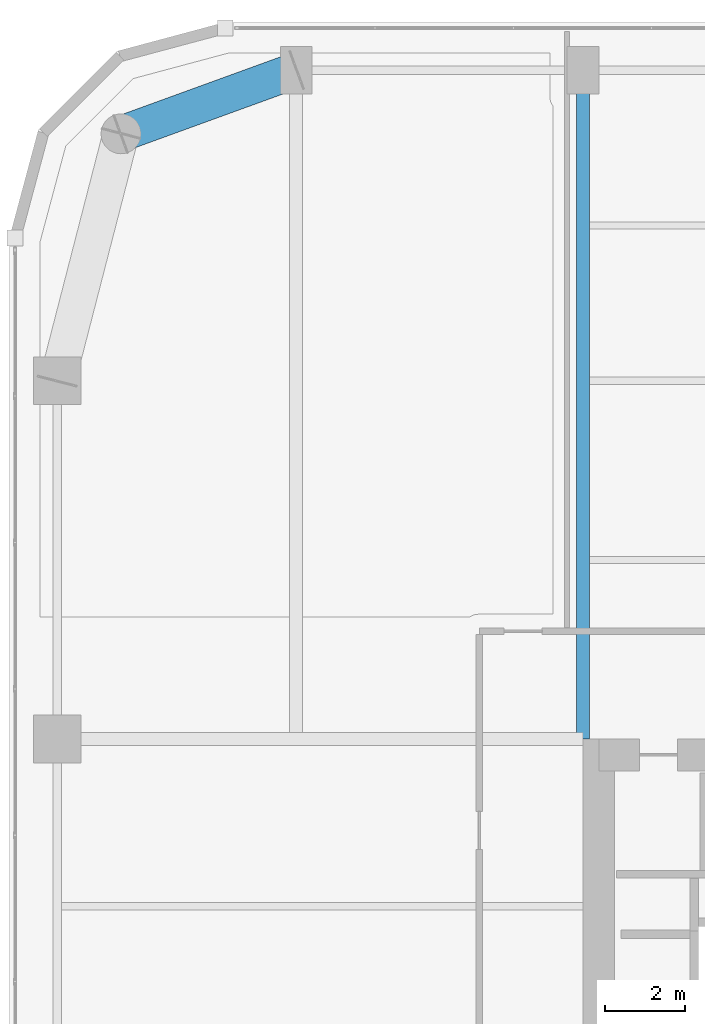
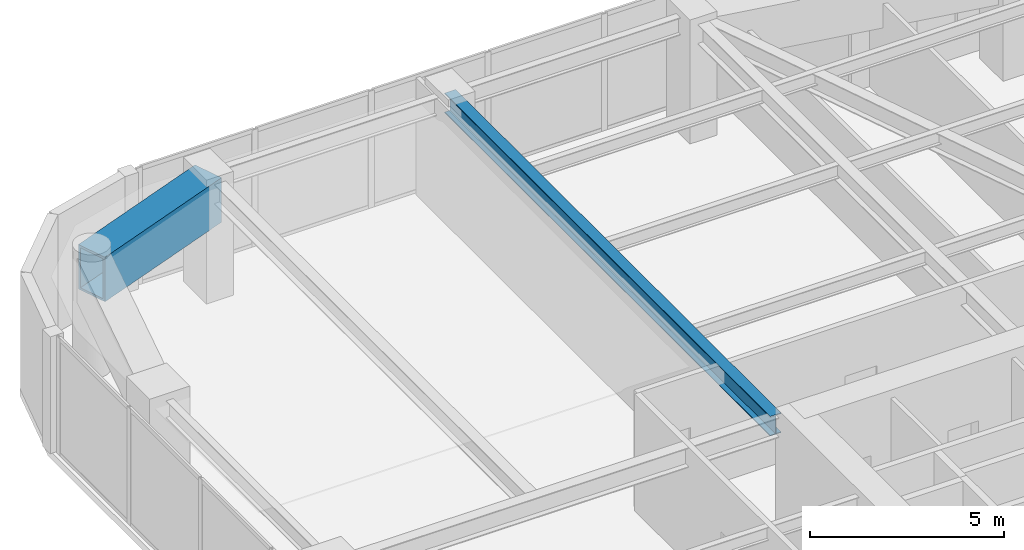
# One storey, part 16 of 30: 2 beams.
"""IFC4 building model written with IfcOpenShell, lengths in metres."""

from ifc_helpers import new_model, si_unit, direction, frame, origin, origin_2d, place, context, subcontext, project, spatial, hollow_rectangle, i_section, extrude, material, material_profile, profile_set, type_object, element, save


model = new_model("IFC4")

# Units and contexts
model_context = context("Model", 3, precision=1e-05, world=origin(), true_north=direction((0.0, 1.0)))
body_context = subcontext(model_context, "Body", "Model", "MODEL_VIEW")
ifc_project = project(units=[si_unit("LENGTHUNIT", "METRE"), si_unit("AREAUNIT", "SQUARE_METRE"), si_unit("VOLUMEUNIT", "CUBIC_METRE"), si_unit("PLANEANGLEUNIT", "RADIAN"), si_unit("MASSUNIT", "GRAM", prefix="KILO")], contexts=[model_context])

# Site, building, storey
site_placement = place(None, origin())
site = spatial("IfcSite", under=ifc_project, at=site_placement, CompositionType="ELEMENT")
building_placement = place(site_placement, origin())
building = spatial("IfcBuilding", under=site, at=building_placement, Name="Kiyonajd Concourse Tower", CompositionType="ELEMENT")
storey_placement = place(building_placement, frame((0.0, 0.0, 162.300048828125)))
storey = spatial("IfcBuildingStorey", under=building, at=storey_placement, Name="L41", CompositionType="ELEMENT", Elevation=162.300048828125)

# Beams
ifc_material_1 = material(Name="Steel ASTM A992 Grade 50", Category="steel")
ifc_material_profile_1 = material_profile(ifc_material_1, i_section(OverallWidth=0.326904296875, OverallDepth=0.6220703125, WebThickness=0.015380859375, FlangeThickness=0.0244140625, at=origin_2d()), Name="W610X195")
ifc_profile_set_1 = profile_set([ifc_material_profile_1], Name="Steel ASTM A992 Grade 50")
beam_type_1 = type_object("IfcBeamType", Name="BM-TWR-610A", PredefinedType="BEAM", material=ifc_profile_set_1)
beam_1_placement = place(storey_placement, frame((32.39990234375, 44.39990234375, 3.368896484375), z_axis=(0.0, 1.0, 0.0), x_axis=(-1.0, 0.0, 0.0)))
element("IfcBeam", 1, at=beam_1_placement, inside=storey, type_object=beam_type_1, Name="L41 North Lease Girder", PredefinedType="BEAM", context=body_context, shape_type="SweptSolid", body=[
    extrude(i_section(OverallWidth=0.326904296875, OverallDepth=0.6220703125, WebThickness=0.015380859375, FlangeThickness=0.0244140625, at=origin_2d()), origin(), (0.0, 0.0, 1.0), 16.800048828125),
])
ifc_material_2 = material(Name="Steel ASTM A572 Grade 50", Category="steel")
ifc_material_profile_2 = material_profile(ifc_material_2, hollow_rectangle(XDim=0.89990234375, YDim=1.39990234375, WallThickness=0.070068359375, at=origin_2d()), Name="BOX-1400x900x70")
ifc_profile_set_2 = profile_set([ifc_material_profile_2], Name="Steel ASTM A572 Grade 50")
beam_type_2 = type_object("IfcBeamType", Name="BM-XFER-1400", PredefinedType="BEAM", material=ifc_profile_set_2)
beam_2_placement = place(storey_placement, frame((25.199951171875, 61.199951171875, 2.97998046875), z_axis=(-0.939801036019, -0.341722127901, 0.0), x_axis=(0.341722127901, -0.939801036019, 0.0)))
element("IfcBeam", 2, at=beam_2_placement, inside=storey, type_object=beam_type_2, Name="L41 Perimeter Bundled Tube Spandrel", PredefinedType="BEAM", context=body_context, shape_type="SweptSolid", body=[
    extrude(hollow_rectangle(XDim=0.89990234375, YDim=1.39990234375, WallThickness=0.070068359375, at=origin_2d()), origin(), (0.0, 0.0, 1.0), 4.681640625),
])

save(model, "model.ifc")
